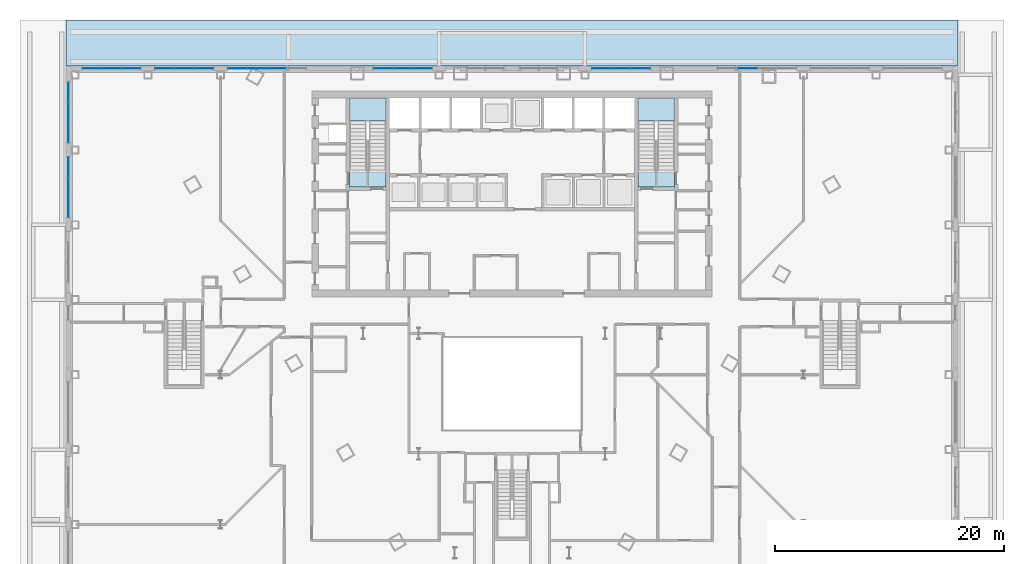
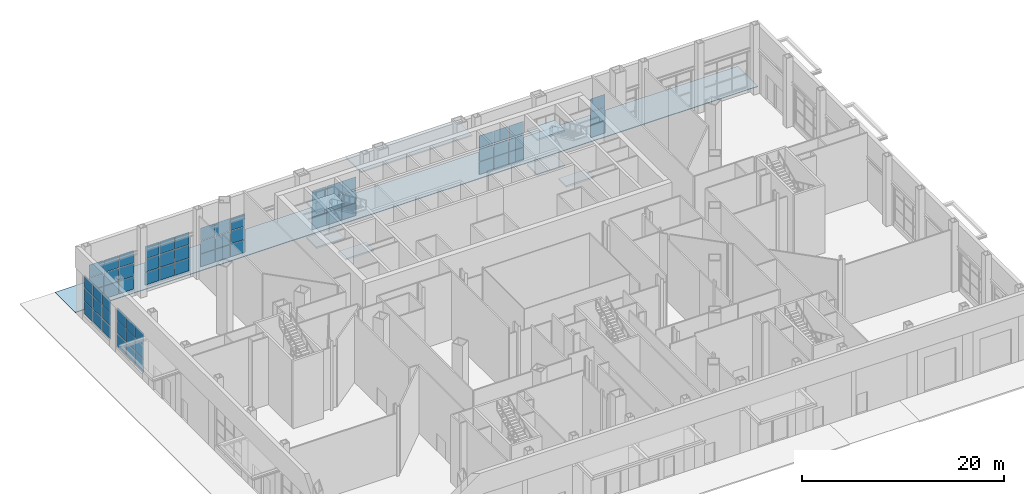
# One storey, part 14 of 34: 66 plates, 8 slabs, 10 elements without a shape of their own.
"""IFC4 building model written with IfcOpenShell, lengths in metres."""

from ifc_helpers import new_model, si_unit, direction, frame, origin, origin_2d, place, context, subcontext, project, spatial, polyline, rectangle, outline, extrude, material, layer, layer_set, type_object, element, aggregate, save


model = new_model("IFC4")

# Units and contexts
model_context = context("Model", 3, precision=1e-05, world=origin(), true_north=direction((0.0, 1.0)))
body_context = subcontext(model_context, "Body", "Model", "MODEL_VIEW")
ifc_project = project(units=[si_unit("LENGTHUNIT", "METRE"), si_unit("AREAUNIT", "SQUARE_METRE"), si_unit("VOLUMEUNIT", "CUBIC_METRE"), si_unit("PLANEANGLEUNIT", "RADIAN"), si_unit("MASSUNIT", "GRAM", prefix="KILO")], contexts=[model_context])

# Site, building, storey
site_placement = place(None, origin())
site = spatial("IfcSite", under=ifc_project, at=site_placement, CompositionType="ELEMENT")
building_placement = place(site_placement, origin())
building = spatial("IfcBuilding", under=site, at=building_placement, Name="Njiva Tower", CompositionType="ELEMENT")
storey_placement = place(building_placement, origin())
storey = spatial("IfcBuildingStorey", under=building, at=storey_placement, Name="L00", CompositionType="ELEMENT", Elevation=0.0)

# Curtain wall, plates
ifc_material_1 = material(Name="Glazed curtain wall", Category="glass")
ifc_layer_1 = layer(ifc_material_1, 0.2)
ifc_layer_set_1 = layer_set([ifc_layer_1], Name="Glazed curtain wall")
curtain_wall_type = type_object("IfcCurtainWallType", Name="CW1 Shopfront glazing", PredefinedType="NOTDEFINED", material=ifc_layer_set_1)
curtain_wall_1_placement = place(storey_placement, origin())
curtain_wall_1 = element("IfcCurtainWall", 1, at=curtain_wall_1_placement, inside=storey, type_object=curtain_wall_type, Name="Shopfront N3", PredefinedType="NOTDEFINED")
ifc_material_2 = material(Name="Clear double glazing", Category="glass")
ifc_layer_2 = layer(ifc_material_2, 0.028)
ifc_layer_set_2 = layer_set([ifc_layer_2], Name="Clear double glazing")
plate_type = type_object("IfcPlateType", Name="CW1-P Shopfront glass panel 28", PredefinedType="CURTAIN_PANEL", material=ifc_layer_set_2)
plate_1_placement = place(storey_placement, frame((20.5774, 19.975, 0.6649), z_axis=(0.0, 0.0, 1.0), x_axis=(-1.0, 0.0, 0.0)))
plate_1 = element("IfcPlate", 2, at=plate_1_placement, type_object=plate_type, Name="CW1-N3 panel 3.1", PredefinedType="CURTAIN_PANEL", context=body_context, shape_type="SweptSolid", body=[
    extrude(rectangle(XDim=1.6247, YDim=0.028, at=origin_2d()), origin(), (0.0, 0.0, 1.0), 1.5025),
])
plate_2_placement = place(storey_placement, frame((20.5774, 19.975, 2.2325), z_axis=(0.0, 0.0, 1.0), x_axis=(-1.0, 0.0, 0.0)))
plate_2 = element("IfcPlate", 3, at=plate_2_placement, type_object=plate_type, Name="CW1-N3 panel 3.2", PredefinedType="CURTAIN_PANEL", context=body_context, shape_type="SweptSolid", body=[
    extrude(rectangle(XDim=1.6247, YDim=0.028, at=origin_2d()), origin(), (0.0, 0.0, 1.0), 1.535),
])
plate_3_placement = place(storey_placement, frame((20.5774, 19.975, 3.8326), z_axis=(0.0, 0.0, 1.0), x_axis=(-1.0, 0.0, 0.0)))
plate_3 = element("IfcPlate", 4, at=plate_3_placement, type_object=plate_type, Name="CW1-N3 panel 3.3", PredefinedType="CURTAIN_PANEL", context=body_context, shape_type="SweptSolid", body=[
    extrude(rectangle(XDim=1.6247, YDim=0.028, at=origin_2d()), origin(), (0.0, 0.0, 1.0), 1.5025),
])
aggregate(curtain_wall_1, [plate_1, plate_2, plate_3])

curtain_wall_2_placement = place(storey_placement, origin())
curtain_wall_2 = element("IfcCurtainWall", 5, at=curtain_wall_2_placement, inside=storey, type_object=curtain_wall_type, Name="Shopfront N5", PredefinedType="NOTDEFINED")
plate_4_placement = place(storey_placement, frame((11.256, 19.975, 0.6649), z_axis=(0.0, 0.0, 1.0), x_axis=(-1.0, 0.0, 0.0)))
plate_4 = element("IfcPlate", 6, at=plate_4_placement, type_object=plate_type, Name="CW1-N5 panel 1.1", PredefinedType="CURTAIN_PANEL", context=body_context, shape_type="SweptSolid", body=[
    extrude(rectangle(XDim=1.6247, YDim=0.028, at=origin_2d()), origin(), (0.0, 0.0, 1.0), 1.5025),
])
plate_5_placement = place(storey_placement, frame((11.256, 19.975, 2.2325), z_axis=(0.0, 0.0, 1.0), x_axis=(-1.0, 0.0, 0.0)))
plate_5 = element("IfcPlate", 7, at=plate_5_placement, type_object=plate_type, Name="CW1-N5 panel 1.2", PredefinedType="CURTAIN_PANEL", context=body_context, shape_type="SweptSolid", body=[
    extrude(rectangle(XDim=1.6247, YDim=0.028, at=origin_2d()), origin(), (0.0, 0.0, 1.0), 1.535),
])
plate_6_placement = place(storey_placement, frame((11.256, 19.975, 3.8326), z_axis=(0.0, 0.0, 1.0), x_axis=(-1.0, 0.0, 0.0)))
plate_6 = element("IfcPlate", 8, at=plate_6_placement, type_object=plate_type, Name="CW1-N5 panel 1.3", PredefinedType="CURTAIN_PANEL", context=body_context, shape_type="SweptSolid", body=[
    extrude(rectangle(XDim=1.6247, YDim=0.028, at=origin_2d()), origin(), (0.0, 0.0, 1.0), 1.5025),
])
plate_7_placement = place(storey_placement, frame((9.55, 19.975, 0.6649), z_axis=(0.0, 0.0, 1.0), x_axis=(-1.0, 0.0, 0.0)))
plate_7 = element("IfcPlate", 9, at=plate_7_placement, type_object=plate_type, Name="CW1-N5 panel 2.1", PredefinedType="CURTAIN_PANEL", context=body_context, shape_type="SweptSolid", body=[
    extrude(rectangle(XDim=1.6572, YDim=0.028, at=origin_2d()), origin(), (0.0, 0.0, 1.0), 1.5025),
])
plate_8_placement = place(storey_placement, frame((9.55, 19.975, 2.2325), z_axis=(0.0, 0.0, 1.0), x_axis=(-1.0, 0.0, 0.0)))
plate_8 = element("IfcPlate", 10, at=plate_8_placement, type_object=plate_type, Name="CW1-N5 panel 2.2", PredefinedType="CURTAIN_PANEL", context=body_context, shape_type="SweptSolid", body=[
    extrude(rectangle(XDim=1.6572, YDim=0.028, at=origin_2d()), origin(), (0.0, 0.0, 1.0), 1.535),
])
plate_9_placement = place(storey_placement, frame((9.55, 19.975, 3.8326), z_axis=(0.0, 0.0, 1.0), x_axis=(-1.0, 0.0, 0.0)))
plate_9 = element("IfcPlate", 11, at=plate_9_placement, type_object=plate_type, Name="CW1-N5 panel 2.3", PredefinedType="CURTAIN_PANEL", context=body_context, shape_type="SweptSolid", body=[
    extrude(rectangle(XDim=1.6572, YDim=0.028, at=origin_2d()), origin(), (0.0, 0.0, 1.0), 1.5025),
])
plate_10_placement = place(storey_placement, frame((7.844, 19.975, 0.6649), z_axis=(0.0, 0.0, 1.0), x_axis=(-1.0, 0.0, 0.0)))
plate_10 = element("IfcPlate", 12, at=plate_10_placement, type_object=plate_type, Name="CW1-N5 panel 3.1", PredefinedType="CURTAIN_PANEL", context=body_context, shape_type="SweptSolid", body=[
    extrude(rectangle(XDim=1.6247, YDim=0.028, at=origin_2d()), origin(), (0.0, 0.0, 1.0), 1.5025),
])
plate_11_placement = place(storey_placement, frame((7.844, 19.975, 2.2325), z_axis=(0.0, 0.0, 1.0), x_axis=(-1.0, 0.0, 0.0)))
plate_11 = element("IfcPlate", 13, at=plate_11_placement, type_object=plate_type, Name="CW1-N5 panel 3.2", PredefinedType="CURTAIN_PANEL", context=body_context, shape_type="SweptSolid", body=[
    extrude(rectangle(XDim=1.6247, YDim=0.028, at=origin_2d()), origin(), (0.0, 0.0, 1.0), 1.535),
])
plate_12_placement = place(storey_placement, frame((7.844, 19.975, 3.8326), z_axis=(0.0, 0.0, 1.0), x_axis=(-1.0, 0.0, 0.0)))
plate_12 = element("IfcPlate", 14, at=plate_12_placement, type_object=plate_type, Name="CW1-N5 panel 3.3", PredefinedType="CURTAIN_PANEL", context=body_context, shape_type="SweptSolid", body=[
    extrude(rectangle(XDim=1.6247, YDim=0.028, at=origin_2d()), origin(), (0.0, 0.0, 1.0), 1.5025),
])
aggregate(curtain_wall_2, [plate_4, plate_5, plate_6, plate_7, plate_8, plate_9, plate_10, plate_11, plate_12])

curtain_wall_3_placement = place(storey_placement, origin())
curtain_wall_3 = element("IfcCurtainWall", 15, at=curtain_wall_3_placement, inside=storey, type_object=curtain_wall_type, Name="Shopfront N8", PredefinedType="NOTDEFINED")
plate_13_placement = place(storey_placement, frame((-7.844, 19.975, 0.6649), z_axis=(0.0, 0.0, 1.0), x_axis=(-1.0, 0.0, 0.0)))
plate_13 = element("IfcPlate", 16, at=plate_13_placement, type_object=plate_type, Name="CW1-N8 panel 1.1", PredefinedType="CURTAIN_PANEL", context=body_context, shape_type="SweptSolid", body=[
    extrude(rectangle(XDim=1.6247, YDim=0.028, at=origin_2d()), origin(), (0.0, 0.0, 1.0), 1.5025),
])
plate_14_placement = place(storey_placement, frame((-7.844, 19.975, 2.2325), z_axis=(0.0, 0.0, 1.0), x_axis=(-1.0, 0.0, 0.0)))
plate_14 = element("IfcPlate", 17, at=plate_14_placement, type_object=plate_type, Name="CW1-N8 panel 1.2", PredefinedType="CURTAIN_PANEL", context=body_context, shape_type="SweptSolid", body=[
    extrude(rectangle(XDim=1.6247, YDim=0.028, at=origin_2d()), origin(), (0.0, 0.0, 1.0), 1.535),
])
plate_15_placement = place(storey_placement, frame((-7.844, 19.975, 3.8326), z_axis=(0.0, 0.0, 1.0), x_axis=(-1.0, 0.0, 0.0)))
plate_15 = element("IfcPlate", 18, at=plate_15_placement, type_object=plate_type, Name="CW1-N8 panel 1.3", PredefinedType="CURTAIN_PANEL", context=body_context, shape_type="SweptSolid", body=[
    extrude(rectangle(XDim=1.6247, YDim=0.028, at=origin_2d()), origin(), (0.0, 0.0, 1.0), 1.5025),
])
plate_16_placement = place(storey_placement, frame((-9.55, 19.975, 0.6649), z_axis=(0.0, 0.0, 1.0), x_axis=(-1.0, 0.0, 0.0)))
plate_16 = element("IfcPlate", 19, at=plate_16_placement, type_object=plate_type, Name="CW1-N8 panel 2.1", PredefinedType="CURTAIN_PANEL", context=body_context, shape_type="SweptSolid", body=[
    extrude(rectangle(XDim=1.6572, YDim=0.028, at=origin_2d()), origin(), (0.0, 0.0, 1.0), 1.5025),
])
plate_17_placement = place(storey_placement, frame((-9.55, 19.975, 2.2325), z_axis=(0.0, 0.0, 1.0), x_axis=(-1.0, 0.0, 0.0)))
plate_17 = element("IfcPlate", 20, at=plate_17_placement, type_object=plate_type, Name="CW1-N8 panel 2.2", PredefinedType="CURTAIN_PANEL", context=body_context, shape_type="SweptSolid", body=[
    extrude(rectangle(XDim=1.6572, YDim=0.028, at=origin_2d()), origin(), (0.0, 0.0, 1.0), 1.535),
])
plate_18_placement = place(storey_placement, frame((-9.55, 19.975, 3.8326), z_axis=(0.0, 0.0, 1.0), x_axis=(-1.0, 0.0, 0.0)))
plate_18 = element("IfcPlate", 21, at=plate_18_placement, type_object=plate_type, Name="CW1-N8 panel 2.3", PredefinedType="CURTAIN_PANEL", context=body_context, shape_type="SweptSolid", body=[
    extrude(rectangle(XDim=1.6572, YDim=0.028, at=origin_2d()), origin(), (0.0, 0.0, 1.0), 1.5025),
])
plate_19_placement = place(storey_placement, frame((-11.256, 19.975, 0.6649), z_axis=(0.0, 0.0, 1.0), x_axis=(-1.0, 0.0, 0.0)))
plate_19 = element("IfcPlate", 22, at=plate_19_placement, type_object=plate_type, Name="CW1-N8 panel 3.1", PredefinedType="CURTAIN_PANEL", context=body_context, shape_type="SweptSolid", body=[
    extrude(rectangle(XDim=1.6247, YDim=0.028, at=origin_2d()), origin(), (0.0, 0.0, 1.0), 1.5025),
])
plate_20_placement = place(storey_placement, frame((-11.256, 19.975, 2.2325), z_axis=(0.0, 0.0, 1.0), x_axis=(-1.0, 0.0, 0.0)))
plate_20 = element("IfcPlate", 23, at=plate_20_placement, type_object=plate_type, Name="CW1-N8 panel 3.2", PredefinedType="CURTAIN_PANEL", context=body_context, shape_type="SweptSolid", body=[
    extrude(rectangle(XDim=1.6247, YDim=0.028, at=origin_2d()), origin(), (0.0, 0.0, 1.0), 1.535),
])
plate_21_placement = place(storey_placement, frame((-11.256, 19.975, 3.8326), z_axis=(0.0, 0.0, 1.0), x_axis=(-1.0, 0.0, 0.0)))
plate_21 = element("IfcPlate", 24, at=plate_21_placement, type_object=plate_type, Name="CW1-N8 panel 3.3", PredefinedType="CURTAIN_PANEL", context=body_context, shape_type="SweptSolid", body=[
    extrude(rectangle(XDim=1.6247, YDim=0.028, at=origin_2d()), origin(), (0.0, 0.0, 1.0), 1.5025),
])
aggregate(curtain_wall_3, [plate_13, plate_14, plate_15, plate_16, plate_17, plate_18, plate_19, plate_20, plate_21])

curtain_wall_4_placement = place(storey_placement, origin())
curtain_wall_4 = element("IfcCurtainWall", 25, at=curtain_wall_4_placement, inside=storey, type_object=curtain_wall_type, Name="Shopfront N10", PredefinedType="NOTDEFINED")
plate_22_placement = place(storey_placement, frame((-20.5774, 19.975, 0.6649), z_axis=(0.0, 0.0, 1.0), x_axis=(-1.0, 0.0, 0.0)))
plate_22 = element("IfcPlate", 26, at=plate_22_placement, type_object=plate_type, Name="CW1-N10 panel 1.1", PredefinedType="CURTAIN_PANEL", context=body_context, shape_type="SweptSolid", body=[
    extrude(rectangle(XDim=1.6247, YDim=0.028, at=origin_2d()), origin(), (0.0, 0.0, 1.0), 1.5025),
])
plate_23_placement = place(storey_placement, frame((-20.5774, 19.975, 2.2325), z_axis=(0.0, 0.0, 1.0), x_axis=(-1.0, 0.0, 0.0)))
plate_23 = element("IfcPlate", 27, at=plate_23_placement, type_object=plate_type, Name="CW1-N10 panel 1.2", PredefinedType="CURTAIN_PANEL", context=body_context, shape_type="SweptSolid", body=[
    extrude(rectangle(XDim=1.6247, YDim=0.028, at=origin_2d()), origin(), (0.0, 0.0, 1.0), 1.535),
])
plate_24_placement = place(storey_placement, frame((-20.5774, 19.975, 3.8326), z_axis=(0.0, 0.0, 1.0), x_axis=(-1.0, 0.0, 0.0)))
plate_24 = element("IfcPlate", 28, at=plate_24_placement, type_object=plate_type, Name="CW1-N10 panel 1.3", PredefinedType="CURTAIN_PANEL", context=body_context, shape_type="SweptSolid", body=[
    extrude(rectangle(XDim=1.6247, YDim=0.028, at=origin_2d()), origin(), (0.0, 0.0, 1.0), 1.5025),
])
plate_25_placement = place(storey_placement, frame((-22.2834, 19.975, 0.6649), z_axis=(0.0, 0.0, 1.0), x_axis=(-1.0, 0.0, 0.0)))
plate_25 = element("IfcPlate", 29, at=plate_25_placement, type_object=plate_type, Name="CW1-N10 panel 2.1", PredefinedType="CURTAIN_PANEL", context=body_context, shape_type="SweptSolid", body=[
    extrude(rectangle(XDim=1.6572, YDim=0.028, at=origin_2d()), origin(), (0.0, 0.0, 1.0), 1.5025),
])
plate_26_placement = place(storey_placement, frame((-22.2834, 19.975, 2.2325), z_axis=(0.0, 0.0, 1.0), x_axis=(-1.0, 0.0, 0.0)))
plate_26 = element("IfcPlate", 30, at=plate_26_placement, type_object=plate_type, Name="CW1-N10 panel 2.2", PredefinedType="CURTAIN_PANEL", context=body_context, shape_type="SweptSolid", body=[
    extrude(rectangle(XDim=1.6572, YDim=0.028, at=origin_2d()), origin(), (0.0, 0.0, 1.0), 1.535),
])
plate_27_placement = place(storey_placement, frame((-22.2834, 19.975, 3.8326), z_axis=(0.0, 0.0, 1.0), x_axis=(-1.0, 0.0, 0.0)))
plate_27 = element("IfcPlate", 31, at=plate_27_placement, type_object=plate_type, Name="CW1-N10 panel 2.3", PredefinedType="CURTAIN_PANEL", context=body_context, shape_type="SweptSolid", body=[
    extrude(rectangle(XDim=1.6572, YDim=0.028, at=origin_2d()), origin(), (0.0, 0.0, 1.0), 1.5025),
])
plate_28_placement = place(storey_placement, frame((-23.9893, 19.975, 0.6649), z_axis=(0.0, 0.0, 1.0), x_axis=(-1.0, 0.0, 0.0)))
plate_28 = element("IfcPlate", 32, at=plate_28_placement, type_object=plate_type, Name="CW1-N10 panel 3.1", PredefinedType="CURTAIN_PANEL", context=body_context, shape_type="SweptSolid", body=[
    extrude(rectangle(XDim=1.6247, YDim=0.028, at=origin_2d()), origin(), (0.0, 0.0, 1.0), 1.5025),
])
plate_29_placement = place(storey_placement, frame((-23.9893, 19.975, 2.2325), z_axis=(0.0, 0.0, 1.0), x_axis=(-1.0, 0.0, 0.0)))
plate_29 = element("IfcPlate", 33, at=plate_29_placement, type_object=plate_type, Name="CW1-N10 panel 3.2", PredefinedType="CURTAIN_PANEL", context=body_context, shape_type="SweptSolid", body=[
    extrude(rectangle(XDim=1.6247, YDim=0.028, at=origin_2d()), origin(), (0.0, 0.0, 1.0), 1.535),
])
plate_30_placement = place(storey_placement, frame((-23.9893, 19.975, 3.8326), z_axis=(0.0, 0.0, 1.0), x_axis=(-1.0, 0.0, 0.0)))
plate_30 = element("IfcPlate", 34, at=plate_30_placement, type_object=plate_type, Name="CW1-N10 panel 3.3", PredefinedType="CURTAIN_PANEL", context=body_context, shape_type="SweptSolid", body=[
    extrude(rectangle(XDim=1.6247, YDim=0.028, at=origin_2d()), origin(), (0.0, 0.0, 1.0), 1.5025),
])
aggregate(curtain_wall_4, [plate_22, plate_23, plate_24, plate_25, plate_26, plate_27, plate_28, plate_29, plate_30])

curtain_wall_5_placement = place(storey_placement, origin())
curtain_wall_5 = element("IfcCurtainWall", 35, at=curtain_wall_5_placement, inside=storey, type_object=curtain_wall_type, Name="Shopfront N11", PredefinedType="NOTDEFINED")
plate_31_placement = place(storey_placement, frame((-26.944, 19.975, 0.6649), z_axis=(0.0, 0.0, 1.0), x_axis=(-1.0, 0.0, 0.0)))
plate_31 = element("IfcPlate", 36, at=plate_31_placement, type_object=plate_type, Name="CW1-N11 panel 1.1", PredefinedType="CURTAIN_PANEL", context=body_context, shape_type="SweptSolid", body=[
    extrude(rectangle(XDim=1.6247, YDim=0.028, at=origin_2d()), origin(), (0.0, 0.0, 1.0), 1.5025),
])
plate_32_placement = place(storey_placement, frame((-26.944, 19.975, 2.2325), z_axis=(0.0, 0.0, 1.0), x_axis=(-1.0, 0.0, 0.0)))
plate_32 = element("IfcPlate", 37, at=plate_32_placement, type_object=plate_type, Name="CW1-N11 panel 1.2", PredefinedType="CURTAIN_PANEL", context=body_context, shape_type="SweptSolid", body=[
    extrude(rectangle(XDim=1.6247, YDim=0.028, at=origin_2d()), origin(), (0.0, 0.0, 1.0), 1.535),
])
plate_33_placement = place(storey_placement, frame((-26.944, 19.975, 3.8326), z_axis=(0.0, 0.0, 1.0), x_axis=(-1.0, 0.0, 0.0)))
plate_33 = element("IfcPlate", 38, at=plate_33_placement, type_object=plate_type, Name="CW1-N11 panel 1.3", PredefinedType="CURTAIN_PANEL", context=body_context, shape_type="SweptSolid", body=[
    extrude(rectangle(XDim=1.6247, YDim=0.028, at=origin_2d()), origin(), (0.0, 0.0, 1.0), 1.5025),
])
plate_34_placement = place(storey_placement, frame((-28.65, 19.975, 0.6649), z_axis=(0.0, 0.0, 1.0), x_axis=(-1.0, 0.0, 0.0)))
plate_34 = element("IfcPlate", 39, at=plate_34_placement, type_object=plate_type, Name="CW1-N11 panel 2.1", PredefinedType="CURTAIN_PANEL", context=body_context, shape_type="SweptSolid", body=[
    extrude(rectangle(XDim=1.6572, YDim=0.028, at=origin_2d()), origin(), (0.0, 0.0, 1.0), 1.5025),
])
plate_35_placement = place(storey_placement, frame((-28.65, 19.975, 2.2325), z_axis=(0.0, 0.0, 1.0), x_axis=(-1.0, 0.0, 0.0)))
plate_35 = element("IfcPlate", 40, at=plate_35_placement, type_object=plate_type, Name="CW1-N11 panel 2.2", PredefinedType="CURTAIN_PANEL", context=body_context, shape_type="SweptSolid", body=[
    extrude(rectangle(XDim=1.6572, YDim=0.028, at=origin_2d()), origin(), (0.0, 0.0, 1.0), 1.535),
])
plate_36_placement = place(storey_placement, frame((-28.65, 19.975, 3.8326), z_axis=(0.0, 0.0, 1.0), x_axis=(-1.0, 0.0, 0.0)))
plate_36 = element("IfcPlate", 41, at=plate_36_placement, type_object=plate_type, Name="CW1-N11 panel 2.3", PredefinedType="CURTAIN_PANEL", context=body_context, shape_type="SweptSolid", body=[
    extrude(rectangle(XDim=1.6572, YDim=0.028, at=origin_2d()), origin(), (0.0, 0.0, 1.0), 1.5025),
])
plate_37_placement = place(storey_placement, frame((-30.356, 19.975, 0.6649), z_axis=(0.0, 0.0, 1.0), x_axis=(-1.0, 0.0, 0.0)))
plate_37 = element("IfcPlate", 42, at=plate_37_placement, type_object=plate_type, Name="CW1-N11 panel 3.1", PredefinedType="CURTAIN_PANEL", context=body_context, shape_type="SweptSolid", body=[
    extrude(rectangle(XDim=1.6247, YDim=0.028, at=origin_2d()), origin(), (0.0, 0.0, 1.0), 1.5025),
])
plate_38_placement = place(storey_placement, frame((-30.356, 19.975, 2.2325), z_axis=(0.0, 0.0, 1.0), x_axis=(-1.0, 0.0, 0.0)))
plate_38 = element("IfcPlate", 43, at=plate_38_placement, type_object=plate_type, Name="CW1-N11 panel 3.2", PredefinedType="CURTAIN_PANEL", context=body_context, shape_type="SweptSolid", body=[
    extrude(rectangle(XDim=1.6247, YDim=0.028, at=origin_2d()), origin(), (0.0, 0.0, 1.0), 1.535),
])
plate_39_placement = place(storey_placement, frame((-30.356, 19.975, 3.8326), z_axis=(0.0, 0.0, 1.0), x_axis=(-1.0, 0.0, 0.0)))
plate_39 = element("IfcPlate", 44, at=plate_39_placement, type_object=plate_type, Name="CW1-N11 panel 3.3", PredefinedType="CURTAIN_PANEL", context=body_context, shape_type="SweptSolid", body=[
    extrude(rectangle(XDim=1.6247, YDim=0.028, at=origin_2d()), origin(), (0.0, 0.0, 1.0), 1.5025),
])
aggregate(curtain_wall_5, [plate_31, plate_32, plate_33, plate_34, plate_35, plate_36, plate_37, plate_38, plate_39])

curtain_wall_6_placement = place(storey_placement, origin())
curtain_wall_6 = element("IfcCurtainWall", 45, at=curtain_wall_6_placement, inside=storey, type_object=curtain_wall_type, Name="Shopfront N12", PredefinedType="NOTDEFINED")
plate_40_placement = place(storey_placement, frame((-33.3107, 19.975, 0.6649), z_axis=(0.0, 0.0, 1.0), x_axis=(-1.0, 0.0, 0.0)))
plate_40 = element("IfcPlate", 46, at=plate_40_placement, type_object=plate_type, Name="CW1-N12 panel 1.1", PredefinedType="CURTAIN_PANEL", context=body_context, shape_type="SweptSolid", body=[
    extrude(rectangle(XDim=1.6247, YDim=0.028, at=origin_2d()), origin(), (0.0, 0.0, 1.0), 1.5025),
])
plate_41_placement = place(storey_placement, frame((-33.3107, 19.975, 2.2325), z_axis=(0.0, 0.0, 1.0), x_axis=(-1.0, 0.0, 0.0)))
plate_41 = element("IfcPlate", 47, at=plate_41_placement, type_object=plate_type, Name="CW1-N12 panel 1.2", PredefinedType="CURTAIN_PANEL", context=body_context, shape_type="SweptSolid", body=[
    extrude(rectangle(XDim=1.6247, YDim=0.028, at=origin_2d()), origin(), (0.0, 0.0, 1.0), 1.535),
])
plate_42_placement = place(storey_placement, frame((-33.3107, 19.975, 3.8326), z_axis=(0.0, 0.0, 1.0), x_axis=(-1.0, 0.0, 0.0)))
plate_42 = element("IfcPlate", 48, at=plate_42_placement, type_object=plate_type, Name="CW1-N12 panel 1.3", PredefinedType="CURTAIN_PANEL", context=body_context, shape_type="SweptSolid", body=[
    extrude(rectangle(XDim=1.6247, YDim=0.028, at=origin_2d()), origin(), (0.0, 0.0, 1.0), 1.5025),
])
plate_43_placement = place(storey_placement, frame((-35.0166, 19.975, 0.6649), z_axis=(0.0, 0.0, 1.0), x_axis=(-1.0, 0.0, 0.0)))
plate_43 = element("IfcPlate", 49, at=plate_43_placement, type_object=plate_type, Name="CW1-N12 panel 2.1", PredefinedType="CURTAIN_PANEL", context=body_context, shape_type="SweptSolid", body=[
    extrude(rectangle(XDim=1.6572, YDim=0.028, at=origin_2d()), origin(), (0.0, 0.0, 1.0), 1.5025),
])
plate_44_placement = place(storey_placement, frame((-35.0166, 19.975, 2.2325), z_axis=(0.0, 0.0, 1.0), x_axis=(-1.0, 0.0, 0.0)))
plate_44 = element("IfcPlate", 50, at=plate_44_placement, type_object=plate_type, Name="CW1-N12 panel 2.2", PredefinedType="CURTAIN_PANEL", context=body_context, shape_type="SweptSolid", body=[
    extrude(rectangle(XDim=1.6572, YDim=0.028, at=origin_2d()), origin(), (0.0, 0.0, 1.0), 1.535),
])
plate_45_placement = place(storey_placement, frame((-35.0166, 19.975, 3.8326), z_axis=(0.0, 0.0, 1.0), x_axis=(-1.0, 0.0, 0.0)))
plate_45 = element("IfcPlate", 51, at=plate_45_placement, type_object=plate_type, Name="CW1-N12 panel 2.3", PredefinedType="CURTAIN_PANEL", context=body_context, shape_type="SweptSolid", body=[
    extrude(rectangle(XDim=1.6572, YDim=0.028, at=origin_2d()), origin(), (0.0, 0.0, 1.0), 1.5025),
])
plate_46_placement = place(storey_placement, frame((-36.7226, 19.975, 0.6649), z_axis=(0.0, 0.0, 1.0), x_axis=(-1.0, 0.0, 0.0)))
plate_46 = element("IfcPlate", 52, at=plate_46_placement, type_object=plate_type, Name="CW1-N12 panel 3.1", PredefinedType="CURTAIN_PANEL", context=body_context, shape_type="SweptSolid", body=[
    extrude(rectangle(XDim=1.6247, YDim=0.028, at=origin_2d()), origin(), (0.0, 0.0, 1.0), 1.5025),
])
plate_47_placement = place(storey_placement, frame((-36.7226, 19.975, 2.2325), z_axis=(0.0, 0.0, 1.0), x_axis=(-1.0, 0.0, 0.0)))
plate_47 = element("IfcPlate", 53, at=plate_47_placement, type_object=plate_type, Name="CW1-N12 panel 3.2", PredefinedType="CURTAIN_PANEL", context=body_context, shape_type="SweptSolid", body=[
    extrude(rectangle(XDim=1.6247, YDim=0.028, at=origin_2d()), origin(), (0.0, 0.0, 1.0), 1.535),
])
plate_48_placement = place(storey_placement, frame((-36.7226, 19.975, 3.8326), z_axis=(0.0, 0.0, 1.0), x_axis=(-1.0, 0.0, 0.0)))
plate_48 = element("IfcPlate", 54, at=plate_48_placement, type_object=plate_type, Name="CW1-N12 panel 3.3", PredefinedType="CURTAIN_PANEL", context=body_context, shape_type="SweptSolid", body=[
    extrude(rectangle(XDim=1.6247, YDim=0.028, at=origin_2d()), origin(), (0.0, 0.0, 1.0), 1.5025),
])
aggregate(curtain_wall_6, [plate_40, plate_41, plate_42, plate_43, plate_44, plate_45, plate_46, plate_47, plate_48])

curtain_wall_7_placement = place(storey_placement, origin())
curtain_wall_7 = element("IfcCurtainWall", 55, at=curtain_wall_7_placement, inside=storey, type_object=curtain_wall_type, Name="Shopfront W1", PredefinedType="NOTDEFINED")
plate_49_placement = place(storey_placement, frame((-38.775, 17.8921, 0.6649), z_axis=(0.0, 0.0, 1.0), x_axis=(0.0, -1.0, 0.0)))
plate_49 = element("IfcPlate", 56, at=plate_49_placement, type_object=plate_type, Name="CW1-W1 panel 1.1", PredefinedType="CURTAIN_PANEL", context=body_context, shape_type="SweptSolid", body=[
    extrude(rectangle(XDim=1.6858, YDim=0.028, at=origin_2d()), origin(), (0.0, 0.0, 1.0), 1.5025),
])
plate_50_placement = place(storey_placement, frame((-38.775, 17.8921, 2.2325), z_axis=(0.0, 0.0, 1.0), x_axis=(0.0, -1.0, 0.0)))
plate_50 = element("IfcPlate", 57, at=plate_50_placement, type_object=plate_type, Name="CW1-W1 panel 1.2", PredefinedType="CURTAIN_PANEL", context=body_context, shape_type="SweptSolid", body=[
    extrude(rectangle(XDim=1.6858, YDim=0.028, at=origin_2d()), origin(), (0.0, 0.0, 1.0), 1.535),
])
plate_51_placement = place(storey_placement, frame((-38.775, 17.8921, 3.8326), z_axis=(0.0, 0.0, 1.0), x_axis=(0.0, -1.0, 0.0)))
plate_51 = element("IfcPlate", 58, at=plate_51_placement, type_object=plate_type, Name="CW1-W1 panel 1.3", PredefinedType="CURTAIN_PANEL", context=body_context, shape_type="SweptSolid", body=[
    extrude(rectangle(XDim=1.6858, YDim=0.028, at=origin_2d()), origin(), (0.0, 0.0, 1.0), 1.5025),
])
plate_52_placement = place(storey_placement, frame((-38.775, 16.125, 0.6649), z_axis=(0.0, 0.0, 1.0), x_axis=(0.0, -1.0, 0.0)))
plate_52 = element("IfcPlate", 59, at=plate_52_placement, type_object=plate_type, Name="CW1-W1 panel 2.1", PredefinedType="CURTAIN_PANEL", context=body_context, shape_type="SweptSolid", body=[
    extrude(rectangle(XDim=1.7183, YDim=0.028, at=origin_2d()), origin(), (0.0, 0.0, 1.0), 1.5025),
])
plate_53_placement = place(storey_placement, frame((-38.775, 16.125, 2.2325), z_axis=(0.0, 0.0, 1.0), x_axis=(0.0, -1.0, 0.0)))
plate_53 = element("IfcPlate", 60, at=plate_53_placement, type_object=plate_type, Name="CW1-W1 panel 2.2", PredefinedType="CURTAIN_PANEL", context=body_context, shape_type="SweptSolid", body=[
    extrude(rectangle(XDim=1.7183, YDim=0.028, at=origin_2d()), origin(), (0.0, 0.0, 1.0), 1.535),
])
plate_54_placement = place(storey_placement, frame((-38.775, 16.125, 3.8326), z_axis=(0.0, 0.0, 1.0), x_axis=(0.0, -1.0, 0.0)))
plate_54 = element("IfcPlate", 61, at=plate_54_placement, type_object=plate_type, Name="CW1-W1 panel 2.3", PredefinedType="CURTAIN_PANEL", context=body_context, shape_type="SweptSolid", body=[
    extrude(rectangle(XDim=1.7183, YDim=0.028, at=origin_2d()), origin(), (0.0, 0.0, 1.0), 1.5025),
])
plate_55_placement = place(storey_placement, frame((-38.775, 14.3579, 0.6649), z_axis=(0.0, 0.0, 1.0), x_axis=(0.0, -1.0, 0.0)))
plate_55 = element("IfcPlate", 62, at=plate_55_placement, type_object=plate_type, Name="CW1-W1 panel 3.1", PredefinedType="CURTAIN_PANEL", context=body_context, shape_type="SweptSolid", body=[
    extrude(rectangle(XDim=1.6858, YDim=0.028, at=origin_2d()), origin(), (0.0, 0.0, 1.0), 1.5025),
])
plate_56_placement = place(storey_placement, frame((-38.775, 14.3579, 2.2325), z_axis=(0.0, 0.0, 1.0), x_axis=(0.0, -1.0, 0.0)))
plate_56 = element("IfcPlate", 63, at=plate_56_placement, type_object=plate_type, Name="CW1-W1 panel 3.2", PredefinedType="CURTAIN_PANEL", context=body_context, shape_type="SweptSolid", body=[
    extrude(rectangle(XDim=1.6858, YDim=0.028, at=origin_2d()), origin(), (0.0, 0.0, 1.0), 1.535),
])
plate_57_placement = place(storey_placement, frame((-38.775, 14.3579, 3.8326), z_axis=(0.0, 0.0, 1.0), x_axis=(0.0, -1.0, 0.0)))
plate_57 = element("IfcPlate", 64, at=plate_57_placement, type_object=plate_type, Name="CW1-W1 panel 3.3", PredefinedType="CURTAIN_PANEL", context=body_context, shape_type="SweptSolid", body=[
    extrude(rectangle(XDim=1.6858, YDim=0.028, at=origin_2d()), origin(), (0.0, 0.0, 1.0), 1.5025),
])
aggregate(curtain_wall_7, [plate_49, plate_50, plate_51, plate_52, plate_53, plate_54, plate_55, plate_56, plate_57])

curtain_wall_8_placement = place(storey_placement, origin())
curtain_wall_8 = element("IfcCurtainWall", 65, at=curtain_wall_8_placement, inside=storey, type_object=curtain_wall_type, Name="Shopfront W2", PredefinedType="NOTDEFINED")
plate_58_placement = place(storey_placement, frame((-38.775, 11.3421, 0.6649), z_axis=(0.0, 0.0, 1.0), x_axis=(0.0, -1.0, 0.0)))
plate_58 = element("IfcPlate", 66, at=plate_58_placement, type_object=plate_type, Name="CW1-W2 panel 1.1", PredefinedType="CURTAIN_PANEL", context=body_context, shape_type="SweptSolid", body=[
    extrude(rectangle(XDim=1.6858, YDim=0.028, at=origin_2d()), origin(), (0.0, 0.0, 1.0), 1.5025),
])
plate_59_placement = place(storey_placement, frame((-38.775, 11.3421, 2.2325), z_axis=(0.0, 0.0, 1.0), x_axis=(0.0, -1.0, 0.0)))
plate_59 = element("IfcPlate", 67, at=plate_59_placement, type_object=plate_type, Name="CW1-W2 panel 1.2", PredefinedType="CURTAIN_PANEL", context=body_context, shape_type="SweptSolid", body=[
    extrude(rectangle(XDim=1.6858, YDim=0.028, at=origin_2d()), origin(), (0.0, 0.0, 1.0), 1.535),
])
plate_60_placement = place(storey_placement, frame((-38.775, 11.3421, 3.8326), z_axis=(0.0, 0.0, 1.0), x_axis=(0.0, -1.0, 0.0)))
plate_60 = element("IfcPlate", 68, at=plate_60_placement, type_object=plate_type, Name="CW1-W2 panel 1.3", PredefinedType="CURTAIN_PANEL", context=body_context, shape_type="SweptSolid", body=[
    extrude(rectangle(XDim=1.6858, YDim=0.028, at=origin_2d()), origin(), (0.0, 0.0, 1.0), 1.5025),
])
plate_61_placement = place(storey_placement, frame((-38.775, 9.575, 0.6649), z_axis=(0.0, 0.0, 1.0), x_axis=(0.0, -1.0, 0.0)))
plate_61 = element("IfcPlate", 69, at=plate_61_placement, type_object=plate_type, Name="CW1-W2 panel 2.1", PredefinedType="CURTAIN_PANEL", context=body_context, shape_type="SweptSolid", body=[
    extrude(rectangle(XDim=1.7183, YDim=0.028, at=origin_2d()), origin(), (0.0, 0.0, 1.0), 1.5025),
])
plate_62_placement = place(storey_placement, frame((-38.775, 9.575, 2.2325), z_axis=(0.0, 0.0, 1.0), x_axis=(0.0, -1.0, 0.0)))
plate_62 = element("IfcPlate", 70, at=plate_62_placement, type_object=plate_type, Name="CW1-W2 panel 2.2", PredefinedType="CURTAIN_PANEL", context=body_context, shape_type="SweptSolid", body=[
    extrude(rectangle(XDim=1.7183, YDim=0.028, at=origin_2d()), origin(), (0.0, 0.0, 1.0), 1.535),
])
plate_63_placement = place(storey_placement, frame((-38.775, 9.575, 3.8326), z_axis=(0.0, 0.0, 1.0), x_axis=(0.0, -1.0, 0.0)))
plate_63 = element("IfcPlate", 71, at=plate_63_placement, type_object=plate_type, Name="CW1-W2 panel 2.3", PredefinedType="CURTAIN_PANEL", context=body_context, shape_type="SweptSolid", body=[
    extrude(rectangle(XDim=1.7183, YDim=0.028, at=origin_2d()), origin(), (0.0, 0.0, 1.0), 1.5025),
])
plate_64_placement = place(storey_placement, frame((-38.775, 7.8079, 0.6649), z_axis=(0.0, 0.0, 1.0), x_axis=(0.0, -1.0, 0.0)))
plate_64 = element("IfcPlate", 72, at=plate_64_placement, type_object=plate_type, Name="CW1-W2 panel 3.1", PredefinedType="CURTAIN_PANEL", context=body_context, shape_type="SweptSolid", body=[
    extrude(rectangle(XDim=1.6858, YDim=0.028, at=origin_2d()), origin(), (0.0, 0.0, 1.0), 1.5025),
])
plate_65_placement = place(storey_placement, frame((-38.775, 7.8079, 2.2325), z_axis=(0.0, 0.0, 1.0), x_axis=(0.0, -1.0, 0.0)))
plate_65 = element("IfcPlate", 73, at=plate_65_placement, type_object=plate_type, Name="CW1-W2 panel 3.2", PredefinedType="CURTAIN_PANEL", context=body_context, shape_type="SweptSolid", body=[
    extrude(rectangle(XDim=1.6858, YDim=0.028, at=origin_2d()), origin(), (0.0, 0.0, 1.0), 1.535),
])
plate_66_placement = place(storey_placement, frame((-38.775, 7.8079, 3.8326), z_axis=(0.0, 0.0, 1.0), x_axis=(0.0, -1.0, 0.0)))
plate_66 = element("IfcPlate", 74, at=plate_66_placement, type_object=plate_type, Name="CW1-W2 panel 3.3", PredefinedType="CURTAIN_PANEL", context=body_context, shape_type="SweptSolid", body=[
    extrude(rectangle(XDim=1.6858, YDim=0.028, at=origin_2d()), origin(), (0.0, 0.0, 1.0), 1.5025),
])
aggregate(curtain_wall_8, [plate_58, plate_59, plate_60, plate_61, plate_62, plate_63, plate_64, plate_65, plate_66])

# Stair, slabs
ifc_material_3 = material(Name="Concrete C40/50", Category="concrete")
stair_type = type_object("IfcStairType", Name="ST4 Exit stair 1500", PredefinedType="HALF_TURN_STAIR", material=ifc_material_3)
stair_1_placement = place(storey_placement, origin())
stair_1 = element("IfcStair", 75, at=stair_1_placement, inside=storey, type_object=stair_type, Name="Stair A", PredefinedType="DOUBLE_RETURN_STAIR")
ifc_layer_3 = layer(ifc_material_3, 0.2)
ifc_layer_set_3 = layer_set([ifc_layer_3], Name="Concrete C40/50")
slab_type_1 = type_object("IfcSlabType", Name="FL9 Stair landing 200", PredefinedType="LANDING", material=ifc_layer_set_3)
slab_1_placement = place(storey_placement, frame((0.0, 0.0, 1.9)))
slab_1 = element("IfcSlab", 76, at=slab_1_placement, type_object=slab_type_1, Name="ST-A landing 1", PredefinedType="LANDING", context=body_context, shape_type="SweptSolid", body=[
    extrude(outline(polyline([(-14.206, 15.39), (-10.994, 15.39), (-10.994, 17.4), (-14.206, 17.4), (-14.206, 15.39)])), origin(), (0.0, 0.0, 1.0), 0.2),
])
slab_2_placement = place(storey_placement, frame((0.0, 0.0, 4.0)))
slab_2 = element("IfcSlab", 77, at=slab_2_placement, type_object=slab_type_1, Name="ST-A landing 2", PredefinedType="LANDING", context=body_context, shape_type="SweptSolid", body=[
    extrude(outline(polyline([(-14.206, 9.6), (-10.994, 9.6), (-10.994, 11.1), (-14.206, 11.1), (-14.206, 9.6)])), origin(), (0.0, 0.0, 1.0), 0.2),
])
slab_3_placement = place(storey_placement, frame((0.0, 0.0, 6.1)))
slab_3 = element("IfcSlab", 78, at=slab_3_placement, type_object=slab_type_1, Name="ST-A landing 3", PredefinedType="LANDING", context=body_context, shape_type="SweptSolid", body=[
    extrude(outline(polyline([(-14.206, 15.39), (-10.994, 15.39), (-10.994, 17.4), (-14.206, 17.4), (-14.206, 15.39)])), origin(), (0.0, 0.0, 1.0), 0.2),
])
aggregate(stair_1, [slab_1, slab_2, slab_3])

stair_2_placement = place(storey_placement, origin())
stair_2 = element("IfcStair", 79, at=stair_2_placement, inside=storey, type_object=stair_type, Name="Stair B", PredefinedType="DOUBLE_RETURN_STAIR")
slab_4_placement = place(storey_placement, frame((0.0, 0.0, 1.9)))
slab_4 = element("IfcSlab", 80, at=slab_4_placement, type_object=slab_type_1, Name="ST-B landing 1", PredefinedType="LANDING", context=body_context, shape_type="SweptSolid", body=[
    extrude(outline(polyline([(10.994, 15.39), (14.206, 15.39), (14.206, 17.4), (10.994, 17.4), (10.994, 15.39)])), origin(), (0.0, 0.0, 1.0), 0.2),
])
slab_5_placement = place(storey_placement, frame((0.0, 0.0, 4.0)))
slab_5 = element("IfcSlab", 81, at=slab_5_placement, type_object=slab_type_1, Name="ST-B landing 2", PredefinedType="LANDING", context=body_context, shape_type="SweptSolid", body=[
    extrude(outline(polyline([(10.994, 9.6), (14.206, 9.6), (14.206, 11.1), (10.994, 11.1), (10.994, 9.6)])), origin(), (0.0, 0.0, 1.0), 0.2),
])
slab_6_placement = place(storey_placement, frame((0.0, 0.0, 6.1)))
slab_6 = element("IfcSlab", 82, at=slab_6_placement, type_object=slab_type_1, Name="ST-B landing 3", PredefinedType="LANDING", context=body_context, shape_type="SweptSolid", body=[
    extrude(outline(polyline([(10.994, 15.39), (14.206, 15.39), (14.206, 17.4), (10.994, 17.4), (10.994, 15.39)])), origin(), (0.0, 0.0, 1.0), 0.2),
])
aggregate(stair_2, [slab_4, slab_5, slab_6])

# Slabs
ifc_material_4 = material(Name="Steel S355 plate and glass", Category="steel")
ifc_layer_4 = layer(ifc_material_4, 0.15)
ifc_layer_set_4 = layer_set([ifc_layer_4], Name="Steel S355 plate and glass")
slab_type_2 = type_object("IfcSlabType", Name="SL92 Canopy deck 150", PredefinedType="ROOF", material=ifc_layer_set_4)
slab_7_placement = place(storey_placement, frame((0.0, 0.0, 5.4)))
element("IfcSlab", 83, at=slab_7_placement, inside=storey, type_object=slab_type_2, Name="Entrance canopy", PredefinedType="ROOF", context=body_context, shape_type="SweptSolid", body=[
    extrude(outline(polyline([(6.3667, 20.2), (-6.3667, 20.2), (-6.3667, 23.2), (6.3667, 23.2), (6.3667, 20.2)])), origin(), (0.0, 0.0, 1.0), 0.15),
])
ifc_material_5 = material(Name="Clay brick paving", Category="masonry")
ifc_layer_5 = layer(ifc_material_5, 0.08)
ifc_layer_set_5 = layer_set([ifc_layer_5], Name="Clay brick paving")
slab_type_3 = type_object("IfcSlabType", Name="SL93 Tower entrance plaza clay paving 80", PredefinedType="USERDEFINED", material=ifc_layer_set_5)
slab_8_placement = place(storey_placement, frame((0.0, 0.0, -0.08)))
element("IfcSlab", 84, at=slab_8_placement, inside=storey, type_object=slab_type_3, Name="Tower entrance plaza", ObjectType="PAVING", PredefinedType="USERDEFINED", context=body_context, shape_type="SweptSolid", body=[
    extrude(outline(polyline([(39.0, 20.2), (39.0, 24.2), (-39.0, 24.2), (-39.0, 20.2), (39.0, 20.2)])), origin(), (0.0, 0.0, 1.0), 0.08),
])

save(model, "model.ifc")
